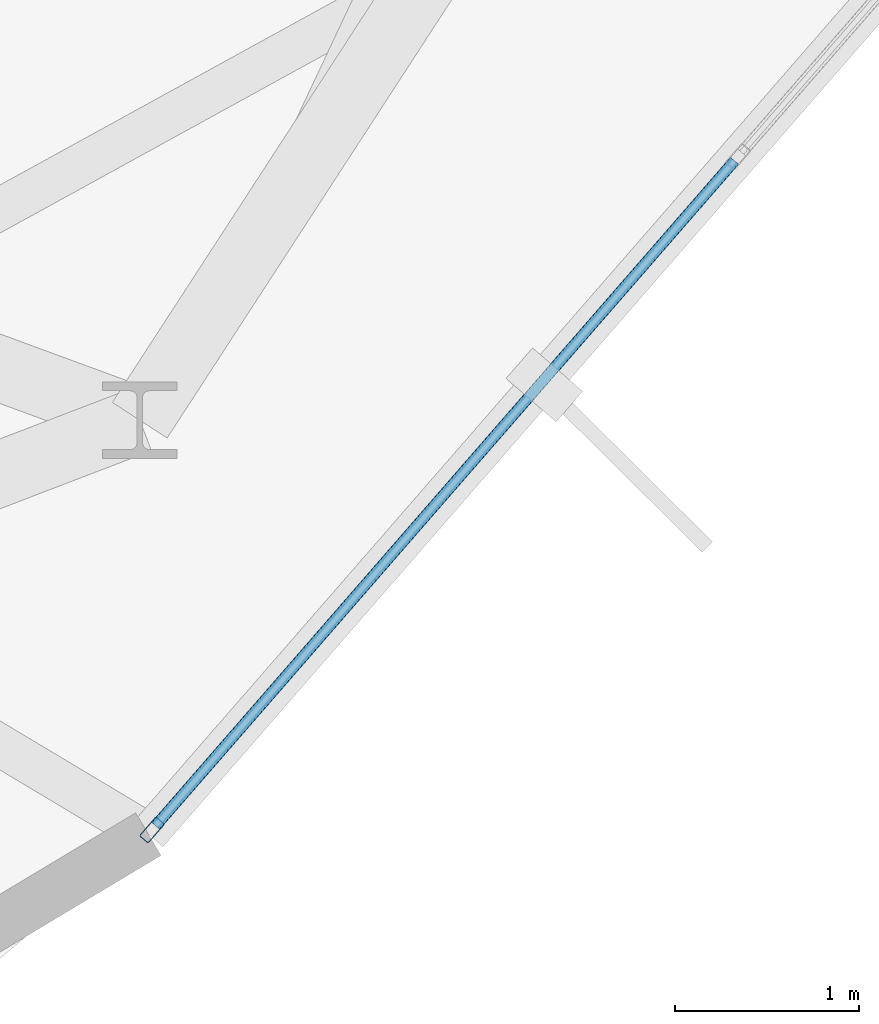
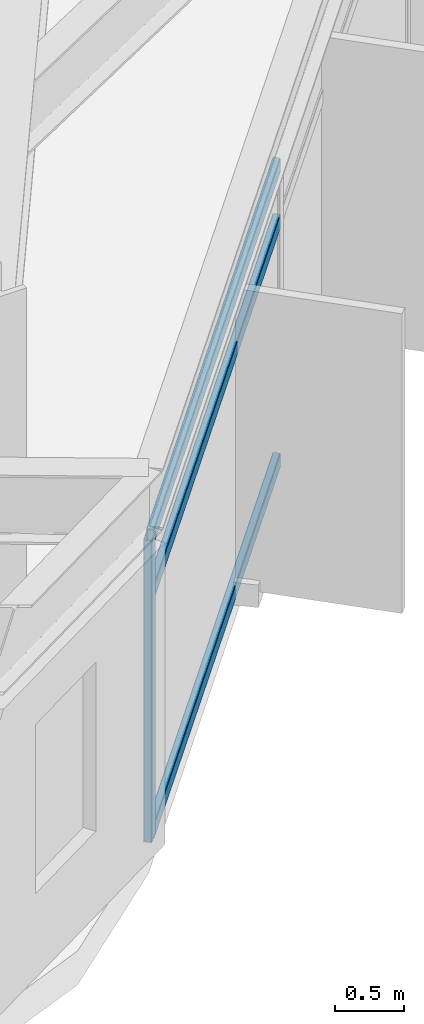
# One storey, part 8 of 27: 4 members, 1 element without a shape of its own.
"""IFC4 building model written with IfcOpenShell, lengths in metres."""

from ifc_helpers import new_model, si_unit, direction, frame, origin, origin_2d, place, context, subcontext, project, spatial, hollow_rectangle, extrude, material, layer, layer_set, material_profile, profile_set, type_object, element, aggregate, save


model = new_model("IFC4")

# Units and contexts
model_context = context("Model", 3, precision=1e-05, world=origin(), true_north=direction((0.0, 1.0)))
body_context = subcontext(model_context, "Body", "Model", "MODEL_VIEW")
ifc_project = project(units=[si_unit("LENGTHUNIT", "METRE"), si_unit("AREAUNIT", "SQUARE_METRE"), si_unit("VOLUMEUNIT", "CUBIC_METRE"), si_unit("PLANEANGLEUNIT", "RADIAN"), si_unit("MASSUNIT", "GRAM", prefix="KILO")], contexts=[model_context])

# Site, building, storey
site_placement = place(None, origin())
site = spatial("IfcSite", under=ifc_project, at=site_placement, CompositionType="ELEMENT")
building_placement = place(site_placement, origin())
building = spatial("IfcBuilding", under=site, at=building_placement, Name="Soratama Intermodal Tower", CompositionType="ELEMENT")
storey_placement = place(building_placement, frame((0.0, 0.0, 212.199951171875)))
storey = spatial("IfcBuildingStorey", under=building, at=storey_placement, Name="L53", CompositionType="ELEMENT", Elevation=212.199951171875)

# Curtain wall, members
ifc_material_1 = material(Name="Double-glazed aluminium curtain wall", Category="aluminium")
ifc_layer = layer(ifc_material_1, 0.159912109375)
ifc_layer_set = layer_set([ifc_layer], Name="Double-glazed aluminium curtain wall")
curtain_wall_type = type_object("IfcCurtainWallType", Name="CW-SYS-5", PredefinedType="NOTDEFINED", material=ifc_layer_set)
curtain_wall_placement = place(storey_placement, origin())
curtain_wall = element("IfcCurtainWall", 1, at=curtain_wall_placement, inside=storey, type_object=curtain_wall_type, Name="L53 Faceted Curtain Wall F08", PredefinedType="NOTDEFINED")
ifc_material_2 = material(Name="Anodised aluminium AA 6063-T6", Category="aluminium")
ifc_material_profile_1 = material_profile(ifc_material_2, hollow_rectangle(XDim=0.06494140625, YDim=0.139892578125, WallThickness=0.0048828125, InnerFilletRadius=0.0048828125, OuterFilletRadius=0.010009765625, at=origin_2d()), Name="CWM140X65X5")
ifc_profile_set_1 = profile_set([ifc_material_profile_1], Name="Anodised aluminium AA 6063-T6")
member_type_1 = type_object("IfcMemberType", Name="MT-CWM-5", PredefinedType="MULLION", material=ifc_profile_set_1)
member_1_placement = place(storey_placement, frame((56.771484375, 8.316650390625, 0.0), z_axis=(0.0, 0.0, 1.0), x_axis=(-0.754252145903, 0.656584876768, 0.0)))
member_1 = element("IfcMember", 2, at=member_1_placement, type_object=member_type_1, Name="CW-5 mullion 1", PredefinedType="MULLION", context=body_context, shape_type="SweptSolid", body=[
    extrude(hollow_rectangle(XDim=0.06494140625, YDim=0.139892578125, WallThickness=0.0048828125, InnerFilletRadius=0.0048828125, OuterFilletRadius=0.010009765625, at=origin_2d()), origin(), (0.0, 0.0, 1.0), 2.678955078125),
])
ifc_material_3 = material(Name="Anodised aluminium AA 6063-T6", Category="aluminium")
ifc_material_profile_2 = material_profile(ifc_material_3, hollow_rectangle(XDim=0.06005859375, YDim=0.1298828125, WallThickness=0.0048828125, InnerFilletRadius=0.0048828125, OuterFilletRadius=0.010009765625, at=origin_2d()), Name="CWT130X60X5")
ifc_profile_set_2 = profile_set([ifc_material_profile_2], Name="Anodised aluminium AA 6063-T6")
member_type_2 = type_object("IfcMemberType", Name="TT-CWT-2", PredefinedType="USERDEFINED", material=ifc_profile_set_2)
member_2_placement = place(storey_placement, frame((56.791259765625, 8.33935546875, 0.030029296875), z_axis=(0.656584568529, 0.754252414228, 0.0), x_axis=(-0.754252414228, 0.656584568529, 0.0)))
member_2 = element("IfcMember", 3, at=member_2_placement, type_object=member_type_2, Name="CW-5 transom 1.1", ObjectType="TRANSOM", PredefinedType="USERDEFINED", context=body_context, shape_type="SweptSolid", body=[
    extrude(hollow_rectangle(XDim=0.06005859375, YDim=0.1298828125, WallThickness=0.0048828125, InnerFilletRadius=0.0048828125, OuterFilletRadius=0.010009765625, at=origin_2d()), origin(), (0.0, 0.0, 1.0), 4.79443359375),
])
member_3_placement = place(storey_placement, frame((56.791259765625, 8.33935546875, 2.150146484375), z_axis=(0.656584568529, 0.754252414228, 0.0), x_axis=(-0.754252414228, 0.656584568529, 0.0)))
member_3 = element("IfcMember", 4, at=member_3_placement, type_object=member_type_2, Name="CW-5 transom 1.2", ObjectType="TRANSOM", PredefinedType="USERDEFINED", context=body_context, shape_type="SweptSolid", body=[
    extrude(hollow_rectangle(XDim=0.06005859375, YDim=0.1298828125, WallThickness=0.0048828125, InnerFilletRadius=0.0048828125, OuterFilletRadius=0.010009765625, at=origin_2d()), origin(), (0.0, 0.0, 1.0), 4.79443359375),
])
member_4_placement = place(storey_placement, frame((56.791259765625, 8.33935546875, 2.649169921875), z_axis=(0.656584568529, 0.754252414228, 0.0), x_axis=(-0.754252414228, 0.656584568529, 0.0)))
member_4 = element("IfcMember", 5, at=member_4_placement, type_object=member_type_2, Name="CW-5 transom 1.3", ObjectType="TRANSOM", PredefinedType="USERDEFINED", context=body_context, shape_type="SweptSolid", body=[
    extrude(hollow_rectangle(XDim=0.06005859375, YDim=0.1298828125, WallThickness=0.0048828125, InnerFilletRadius=0.0048828125, OuterFilletRadius=0.010009765625, at=origin_2d()), origin(), (0.0, 0.0, 1.0), 4.79443359375),
])
aggregate(curtain_wall, [member_1, member_2, member_3, member_4])

save(model, "model.ifc")
